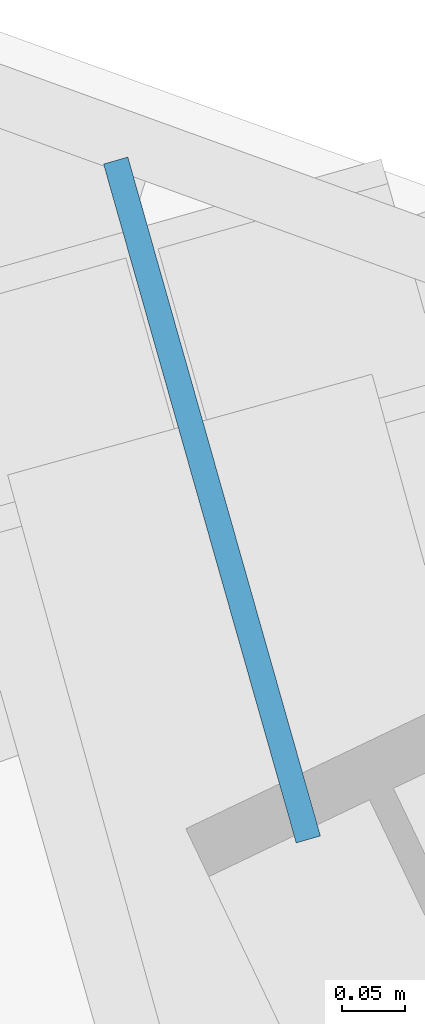
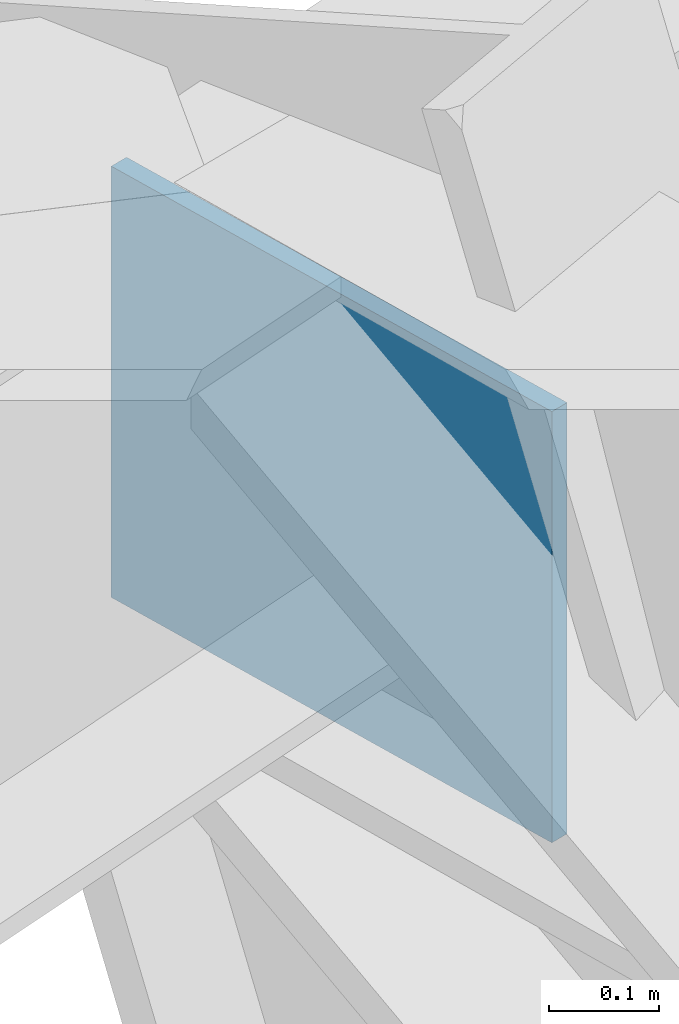
# One storey, part 14 of 22: 1 plate.
"""IFC4 building model written with IfcOpenShell, lengths in metres."""

from ifc_helpers import new_model, si_unit, direction, frame, origin, origin_2d, place, context, subcontext, project, spatial, rectangle, extrude, source, transform, mapped, material, type_object, element, save


model = new_model("IFC4")

# Units and contexts
model_context = context("Model", 3, precision=1e-05, world=origin(), true_north=direction((0.0, 1.0)))
body_context = subcontext(model_context, "Body", "Model", "MODEL_VIEW")
ifc_project = project(units=[si_unit("LENGTHUNIT", "METRE"), si_unit("AREAUNIT", "SQUARE_METRE"), si_unit("VOLUMEUNIT", "CUBIC_METRE"), si_unit("PLANEANGLEUNIT", "RADIAN"), si_unit("MASSUNIT", "GRAM", prefix="KILO")], contexts=[model_context])

# Site, building, storey
site_placement = place(None, origin())
site = spatial("IfcSite", under=ifc_project, at=site_placement, CompositionType="ELEMENT")
building_placement = place(site_placement, origin())
building = spatial("IfcBuilding", under=site, at=building_placement, Name="Olszyna Solenne Hotel", CompositionType="ELEMENT")
storey_placement = place(building_placement, frame((0.0, 0.0, 95.050048828125)))
storey = spatial("IfcBuildingStorey", under=building, at=storey_placement, Name="L24", CompositionType="ELEMENT", Elevation=95.050048828125)

# Plate
ifc_material = material(Name="Steel S355J2", Category="steel")
plate_type = type_object("IfcPlateType", Name="GP-ND2", PredefinedType="USERDEFINED", material=ifc_material)
shared_shape = source(origin(), body_context, "Body", "SweptSolid", [
    extrude(rectangle(XDim=0.56005859375, YDim=0.02001953125, at=origin_2d()), origin(), (0.0, 0.0, 1.0), 0.47998046875),
])
plate_placement = place(storey_placement, frame((66.503173828125, 36.646240234375, 2.661865234375), z_axis=(0.0, 0.0, 1.0), x_axis=(-0.272951935517, 0.962027671586, 0.0)))
element("IfcPlate", 1, at=plate_placement, inside=storey, type_object=plate_type, Name="Brace end connection gusset plate GP-ND2 EP-BR-L24-1-2", ObjectType="GUSSET_PLATE", PredefinedType="USERDEFINED", context=body_context, shape_type="MappedRepresentation", body=[
    mapped(shared_shape, transform((0.0, 0.0, 0.0), x_axis=(1.0, 0.0, 0.0), y_axis=(0.0, 1.0, 0.0), z_axis=(0.0, 0.0, 1.0), scale=1.0)),
])

save(model, "model.ifc")
